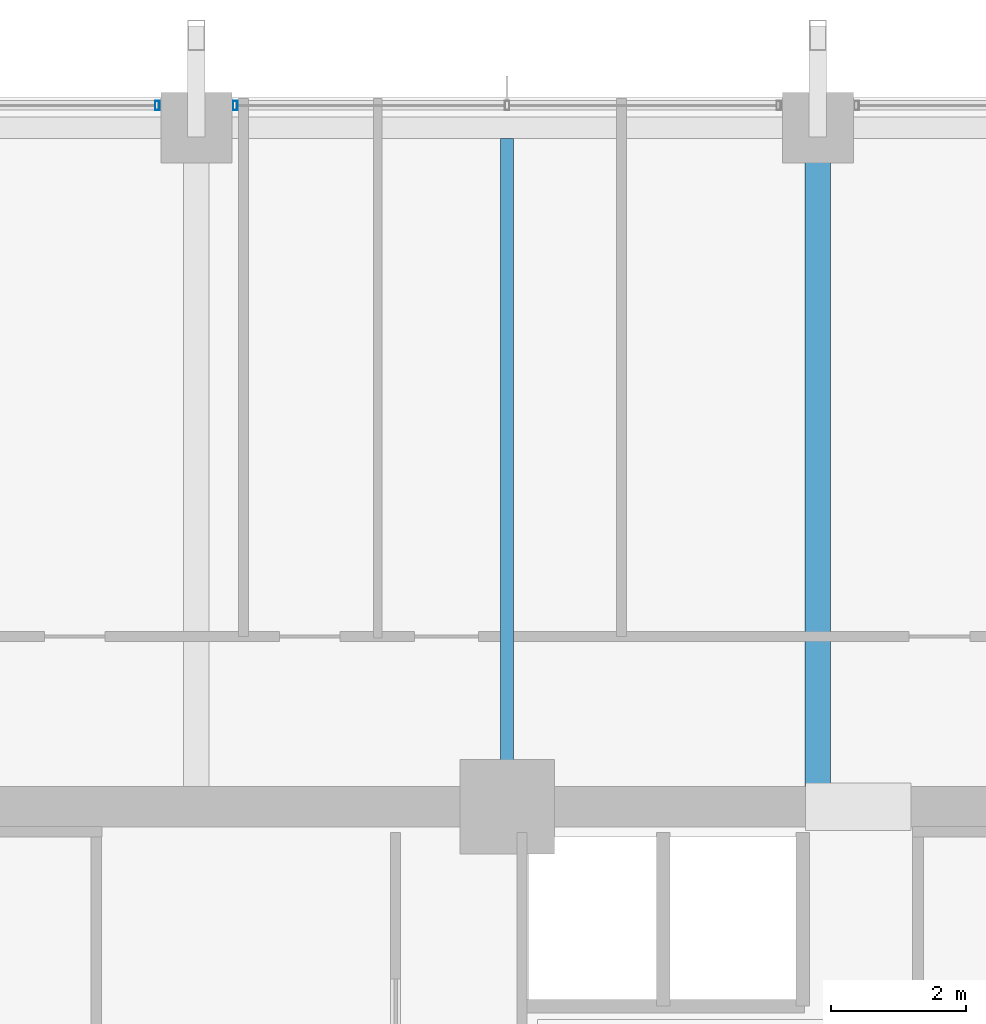
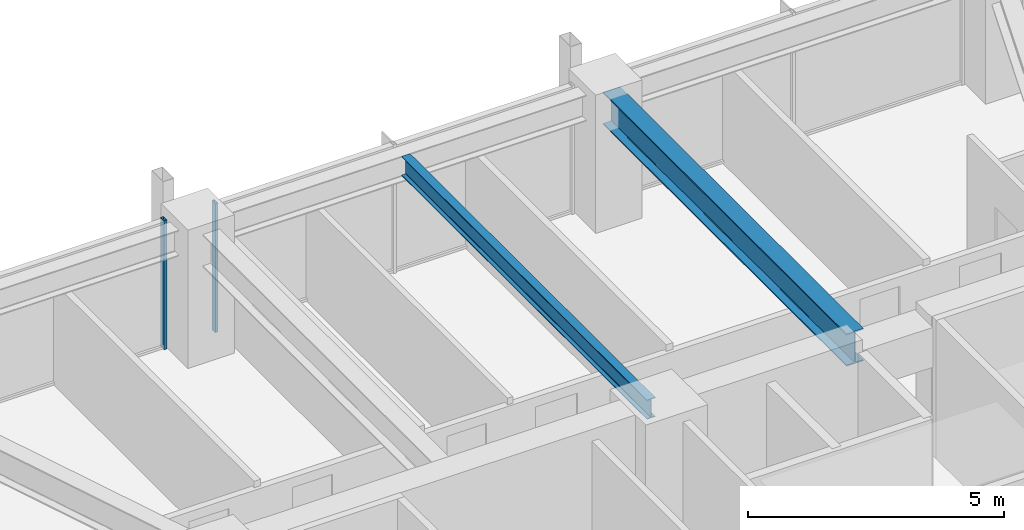
# One storey, part 20 of 37: 2 beams, 2 members, 2 elements without a shape of their own.
"""IFC4 building model written with IfcOpenShell, lengths in metres."""

from ifc_helpers import new_model, si_unit, direction, frame, origin, origin_2d, place, context, subcontext, project, spatial, hollow_rectangle, i_section, extrude, material, material_profile, profile_set, type_object, element, aggregate, save


model = new_model("IFC4")

# Units and contexts
model_context = context("Model", 3, precision=1e-05, world=origin(), true_north=direction((0.0, 1.0)))
body_context = subcontext(model_context, "Body", "Model", "MODEL_VIEW")
ifc_project = project(units=[si_unit("LENGTHUNIT", "METRE"), si_unit("AREAUNIT", "SQUARE_METRE"), si_unit("VOLUMEUNIT", "CUBIC_METRE"), si_unit("PLANEANGLEUNIT", "RADIAN"), si_unit("MASSUNIT", "GRAM", prefix="KILO")], contexts=[model_context])

# Site, building, storey
site_placement = place(None, origin())
site = spatial("IfcSite", under=ifc_project, at=site_placement, CompositionType="ELEMENT")
building_placement = place(site_placement, origin())
building = spatial("IfcBuilding", under=site, at=building_placement, Name="Kolvaren Belvedere", CompositionType="ELEMENT")
storey_placement = place(building_placement, frame((0.0, 0.0, 82.10009765625)))
storey = spatial("IfcBuildingStorey", under=building, at=storey_placement, Name="L23", CompositionType="ELEMENT", Elevation=82.10009765625)

# Beams
ifc_material_1 = material(Name="Structural steel ASTM A992 Grade 50", Category="steel")
ifc_material_profile_1 = material_profile(ifc_material_1, i_section(OverallWidth=0.381103515625, OverallDepth=0.77294921875, WebThickness=0.0166015625, FlangeThickness=0.027099609375, FilletRadius=0.02392578125, at=origin_2d()), Name="W30X173")
ifc_profile_set_1 = profile_set([ifc_material_profile_1], Name="Structural steel ASTM A992 Grade 50")
beam_type_1 = type_object("IfcBeamType", Name="BM-GIRD-W30X173", PredefinedType="BEAM", material=ifc_profile_set_1)
beam_1_placement = place(storey_placement, frame((4.60009765625, 10.199951171875, 2.693359375), z_axis=(0.0, 1.0, 0.0), x_axis=(-1.0, 0.0, 0.0)))
element("IfcBeam", 1, at=beam_1_placement, inside=storey, type_object=beam_type_1, Name="L23 North Radial Girder P", PredefinedType="BEAM", context=body_context, shape_type="SweptSolid", body=[
    extrude(i_section(OverallWidth=0.381103515625, OverallDepth=0.77294921875, WebThickness=0.0166015625, FlangeThickness=0.027099609375, FilletRadius=0.02392578125, at=origin_2d()), origin(), (0.0, 0.0, 1.0), 9.513916015625),
])
ifc_material_2 = material(Name="Structural steel ASTM A992 Grade 50", Category="steel")
ifc_material_profile_2 = material_profile(ifc_material_2, i_section(OverallWidth=0.19091796875, OverallDepth=0.4599609375, WebThickness=0.010009765625, FlangeThickness=0.01611328125, FilletRadius=0.014892578125, at=origin_2d()), Name="W18X55")
ifc_profile_set_2 = profile_set([ifc_material_profile_2], Name="Structural steel ASTM A992 Grade 50")
beam_type_2 = type_object("IfcBeamType", Name="BM-JOIST-W18X55", PredefinedType="BEAM", material=ifc_profile_set_2)
beam_2_placement = place(storey_placement, frame((0.0, 10.199951171875, 2.849853515625), z_axis=(0.0, 1.0, 0.0), x_axis=(-1.0, 0.0, 0.0)))
element("IfcBeam", 2, at=beam_2_placement, inside=storey, type_object=beam_type_2, Name="L23 North Centre Floor Beam", PredefinedType="BEAM", context=body_context, shape_type="SweptSolid", body=[
    extrude(i_section(OverallWidth=0.19091796875, OverallDepth=0.4599609375, WebThickness=0.010009765625, FlangeThickness=0.01611328125, FilletRadius=0.014892578125, at=origin_2d()), origin(), (0.0, 0.0, 1.0), 9.587646484375),
])

# Curtain wall, member
ifc_material_3 = material(Name="Anodised pale-metal aluminium AA 6063-T6", Category="aluminium")
curtain_wall_type = type_object("IfcCurtainWallType", Name="CW-Z2-MID", PredefinedType="NOTDEFINED", material=ifc_material_3)
curtain_wall_1_placement = place(storey_placement, origin())
curtain_wall_1 = element("IfcCurtainWall", 3, at=curtain_wall_1_placement, inside=storey, type_object=curtain_wall_type, Name="L23 Unitised Curtain Wall FCW-L23-N-B1", PredefinedType="NOTDEFINED")
ifc_material_4 = material(Name="Anodised pale-metal aluminium AA 6063-T6", Category="aluminium")
ifc_material_profile_3 = material_profile(ifc_material_4, hollow_rectangle(XDim=0.06494140625, YDim=0.139892578125, WallThickness=0.00390625, at=origin_2d()), Name="ALU-MUL-140X65")
ifc_profile_set_3 = profile_set([ifc_material_profile_3], Name="Anodised pale-metal aluminium AA 6063-T6")
member_type = type_object("IfcMemberType", Name="CW-MUL-140", PredefinedType="MULLION", material=ifc_profile_set_3)
member_1_placement = place(storey_placement, frame((-5.177490234375, 20.280029296875, 0.0), z_axis=(0.0, 0.0, 1.0), x_axis=(1.0, 0.0, 0.0)))
member_1 = element("IfcMember", 4, at=member_1_placement, type_object=member_type, Name="FCW-L23-N-B1 Unitised Mullion 3", PredefinedType="MULLION", context=body_context, shape_type="SweptSolid", body=[
    extrude(hollow_rectangle(XDim=0.06494140625, YDim=0.139892578125, WallThickness=0.00390625, at=origin_2d()), origin(), (0.0, 0.0, 1.0), 3.079833984375),
])
aggregate(curtain_wall_1, [member_1])

curtain_wall_2_placement = place(storey_placement, origin())
curtain_wall_2 = element("IfcCurtainWall", 5, at=curtain_wall_2_placement, inside=storey, type_object=curtain_wall_type, Name="L23 Unitised Curtain Wall FCW-L23-N-B2", PredefinedType="NOTDEFINED")
member_2_placement = place(storey_placement, frame((-4.0224609375, 20.280029296875, 0.0), z_axis=(0.0, 0.0, 1.0), x_axis=(1.0, 0.0, 0.0)))
member_2 = element("IfcMember", 6, at=member_2_placement, type_object=member_type, Name="FCW-L23-N-B2 Unitised Mullion 1", PredefinedType="MULLION", context=body_context, shape_type="SweptSolid", body=[
    extrude(hollow_rectangle(XDim=0.06494140625, YDim=0.139892578125, WallThickness=0.00390625, at=origin_2d()), origin(), (0.0, 0.0, 1.0), 3.079833984375),
])
aggregate(curtain_wall_2, [member_2])

save(model, "model.ifc")
